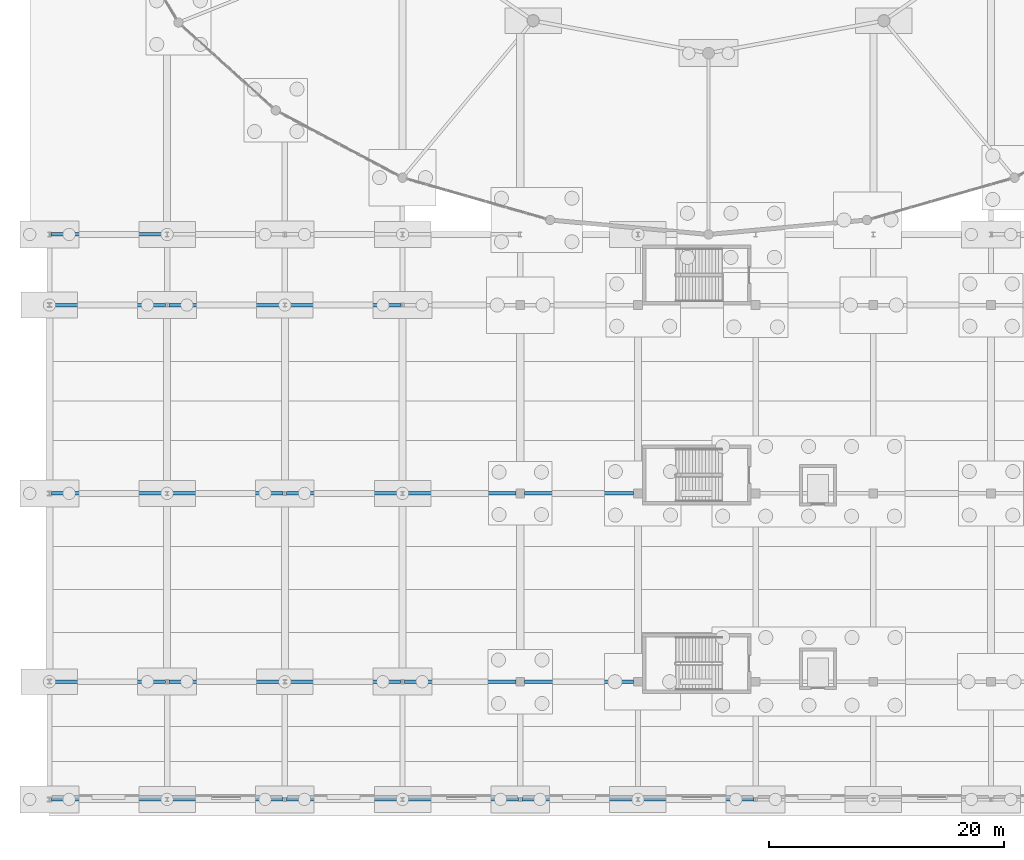
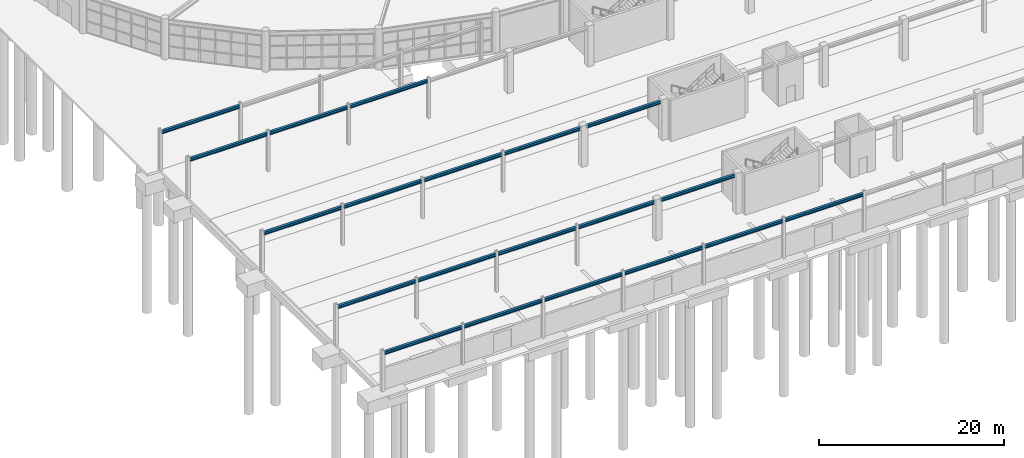
# One storey, part 30 of 99: 20 beams.
"""IFC4 building model written with IfcOpenShell, lengths in metres."""

from ifc_helpers import new_model, si_unit, direction, frame, origin, origin_2d, place, context, subcontext, project, spatial, i_section, extrude, material, material_profile, profile_set, type_object, element, save


model = new_model("IFC4")

# Units and contexts
model_context = context("Model", 3, precision=1e-05, world=origin(), true_north=direction((0.0, 1.0)))
body_context = subcontext(model_context, "Body", "Model", "MODEL_VIEW")
ifc_project = project(units=[si_unit("LENGTHUNIT", "METRE"), si_unit("AREAUNIT", "SQUARE_METRE"), si_unit("VOLUMEUNIT", "CUBIC_METRE"), si_unit("PLANEANGLEUNIT", "RADIAN"), si_unit("MASSUNIT", "GRAM", prefix="KILO")], contexts=[model_context])

# Site, building, storey
site_placement = place(None, origin())
site = spatial("IfcSite", under=ifc_project, at=site_placement, CompositionType="ELEMENT")
building_placement = place(site_placement, origin())
building = spatial("IfcBuilding", under=site, at=building_placement, Name="Kivolera Central Railway Station", CompositionType="ELEMENT")
storey_placement = place(building_placement, origin())
storey = spatial("IfcBuildingStorey", under=building, at=storey_placement, Name="L00", CompositionType="ELEMENT", Elevation=0.0)

# Beams
ifc_material = material(Name="Steel S355", Category="steel")
ifc_material_profile = material_profile(ifc_material, i_section(OverallWidth=0.300048828125, OverallDepth=0.389892578125, WebThickness=0.010986328125, FlangeThickness=0.01904296875, FilletRadius=0.027099609375, at=origin_2d()), Name="HEA 400")
ifc_profile_set = profile_set([ifc_material_profile], Name="Steel S355")
beam_type = type_object("IfcBeamType", Name="BM-SHD-HEA400", PredefinedType="BEAM", material=ifc_profile_set)
for number, where, z_axis, x_axis, name in (
    (1, (8.177001953125, 6.0, 4.919921875), (1.0, 0.0, 0.0), (0.0, 1.0, 0.0), "Train Shed Longitudinal Tie Beam A:1-2"),
    (2, (8.177001953125, 16.0, 4.919921875), (1.0, 0.0, 0.0), (0.0, 1.0, 0.0), "Train Shed Longitudinal Tie Beam B:1-2"),
    (3, (8.177001953125, 32.0, 4.919921875), (1.0, 0.0, 0.0), (0.0, 1.0, 0.0), "Train Shed Longitudinal Tie Beam C:1-2"),
    (4, (8.177001953125, 48.0, 4.919921875), (1.0, 0.0, 0.0), (0.0, 1.0, 0.0), "Train Shed Longitudinal Tie Beam D:1-2"),
):
    element("IfcBeam", number, at=place(storey_placement, frame(where, z_axis=z_axis, x_axis=x_axis)), inside=storey, type_object=beam_type, Name=name, PredefinedType="BEAM", context=body_context, shape_type="SweptSolid", body=[
        extrude(i_section(OverallWidth=0.300048828125, OverallDepth=0.389892578125, WebThickness=0.010986328125, FlangeThickness=0.01904296875, FilletRadius=0.027099609375, at=origin_2d()), origin(), (0.0, 0.0, 1.0), 9.676025390625),
    ])
for number, where, z_axis, x_axis, name in (
    (5, (18.14697265625, 6.0, 4.919921875), (1.0, 0.0, 0.0), (0.0, 1.0, 0.0), "Train Shed Longitudinal Tie Beam A:2-3"),
    (6, (18.14697265625, 16.0, 4.919921875), (1.0, 0.0, 0.0), (0.0, 1.0, 0.0), "Train Shed Longitudinal Tie Beam B:2-3"),
    (7, (18.14697265625, 32.0, 4.919921875), (1.0, 0.0, 0.0), (0.0, 1.0, 0.0), "Train Shed Longitudinal Tie Beam C:2-3"),
    (8, (18.14697265625, 48.0, 4.919921875), (1.0, 0.0, 0.0), (0.0, 1.0, 0.0), "Train Shed Longitudinal Tie Beam D:2-3"),
    (9, (28.14697265625, 6.0, 4.919921875), (1.0, 0.0, 0.0), (0.0, 1.0, 0.0), "Train Shed Longitudinal Tie Beam A:3-4"),
    (10, (28.14697265625, 16.0, 4.919921875), (1.0, 0.0, 0.0), (0.0, 1.0, 0.0), "Train Shed Longitudinal Tie Beam B:3-4"),
    (11, (28.14697265625, 32.0, 4.919921875), (1.0, 0.0, 0.0), (0.0, 1.0, 0.0), "Train Shed Longitudinal Tie Beam C:3-4"),
    (12, (28.14697265625, 48.0, 4.919921875), (1.0, 0.0, 0.0), (0.0, 1.0, 0.0), "Train Shed Longitudinal Tie Beam D:3-4"),
    (13, (38.14697265625, 6.0, 4.919921875), (1.0, 0.0, 0.0), (0.0, 1.0, 0.0), "Train Shed Longitudinal Tie Beam A:4-5"),
):
    element("IfcBeam", number, at=place(storey_placement, frame(where, z_axis=z_axis, x_axis=x_axis)), inside=storey, type_object=beam_type, Name=name, PredefinedType="BEAM", context=body_context, shape_type="SweptSolid", body=[
        extrude(i_section(OverallWidth=0.300048828125, OverallDepth=0.389892578125, WebThickness=0.010986328125, FlangeThickness=0.01904296875, FilletRadius=0.027099609375, at=origin_2d()), origin(), (0.0, 0.0, 1.0), 9.7060546875),
    ])
for number, where, z_axis, x_axis, name in (
    (14, (38.14697265625, 16.0, 4.919921875), (1.0, 0.0, 0.0), (0.0, 1.0, 0.0), "Train Shed Longitudinal Tie Beam B:4-5"),
    (15, (38.14697265625, 32.0, 4.919921875), (1.0, 0.0, 0.0), (0.0, 1.0, 0.0), "Train Shed Longitudinal Tie Beam C:4-5"),
):
    element("IfcBeam", number, at=place(storey_placement, frame(where, z_axis=z_axis, x_axis=x_axis)), inside=storey, type_object=beam_type, Name=name, PredefinedType="BEAM", context=body_context, shape_type="SweptSolid", body=[
        extrude(i_section(OverallWidth=0.300048828125, OverallDepth=0.389892578125, WebThickness=0.010986328125, FlangeThickness=0.01904296875, FilletRadius=0.027099609375, at=origin_2d()), origin(), (0.0, 0.0, 1.0), 9.486083984375),
    ])
beam_1_placement = place(storey_placement, frame((48.14697265625, 6.0, 4.919921875), z_axis=(1.0, 0.0, 0.0), x_axis=(0.0, 1.0, 0.0)))
element("IfcBeam", 16, at=beam_1_placement, inside=storey, type_object=beam_type, Name="Train Shed Longitudinal Tie Beam A:5-6", PredefinedType="BEAM", context=body_context, shape_type="SweptSolid", body=[
    extrude(i_section(OverallWidth=0.300048828125, OverallDepth=0.389892578125, WebThickness=0.010986328125, FlangeThickness=0.01904296875, FilletRadius=0.027099609375, at=origin_2d()), origin(), (0.0, 0.0, 1.0), 9.7060546875),
])
for number, where, z_axis, x_axis, name in (
    (17, (48.366943359375, 16.0, 4.919921875), (1.0, 0.0, 0.0), (0.0, 1.0, 0.0), "Train Shed Longitudinal Tie Beam B:5-6"),
    (18, (48.366943359375, 32.0, 4.919921875), (1.0, 0.0, 0.0), (0.0, 1.0, 0.0), "Train Shed Longitudinal Tie Beam C:5-6"),
):
    element("IfcBeam", number, at=place(storey_placement, frame(where, z_axis=z_axis, x_axis=x_axis)), inside=storey, type_object=beam_type, Name=name, PredefinedType="BEAM", context=body_context, shape_type="SweptSolid", body=[
        extrude(i_section(OverallWidth=0.300048828125, OverallDepth=0.389892578125, WebThickness=0.010986328125, FlangeThickness=0.01904296875, FilletRadius=0.027099609375, at=origin_2d()), origin(), (0.0, 0.0, 1.0), 9.26611328125),
    ])
beam_2_placement = place(storey_placement, frame((58.14697265625, 6.0, 4.919921875), z_axis=(1.0, 0.0, 0.0), x_axis=(0.0, 1.0, 0.0)))
element("IfcBeam", 19, at=beam_2_placement, inside=storey, type_object=beam_type, Name="Train Shed Longitudinal Tie Beam A:6-7", PredefinedType="BEAM", context=body_context, shape_type="SweptSolid", body=[
    extrude(i_section(OverallWidth=0.300048828125, OverallDepth=0.389892578125, WebThickness=0.010986328125, FlangeThickness=0.01904296875, FilletRadius=0.027099609375, at=origin_2d()), origin(), (0.0, 0.0, 1.0), 9.7060546875),
])
beam_3_placement = place(storey_placement, frame((8.136962890625, 54.0, 4.919921875), z_axis=(1.0, 0.0, 0.0), x_axis=(0.0, 1.0, 0.0)))
element("IfcBeam", 20, at=beam_3_placement, inside=storey, type_object=beam_type, Name="Train Shed Longitudinal Tie Beam E:1-2", PredefinedType="BEAM", context=body_context, shape_type="SweptSolid", body=[
    extrude(i_section(OverallWidth=0.300048828125, OverallDepth=0.389892578125, WebThickness=0.010986328125, FlangeThickness=0.01904296875, FilletRadius=0.027099609375, at=origin_2d()), origin(), (0.0, 0.0, 1.0), 9.72607421875),
])

save(model, "model.ifc")
